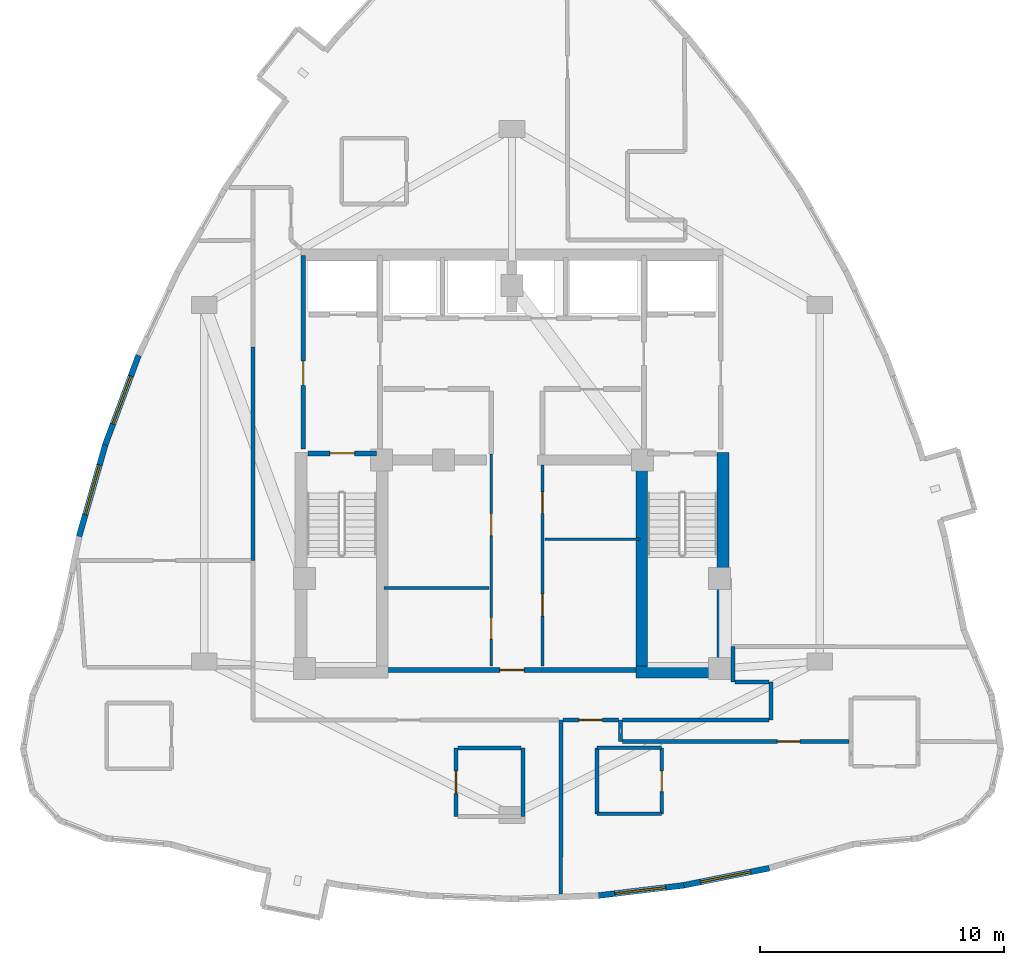
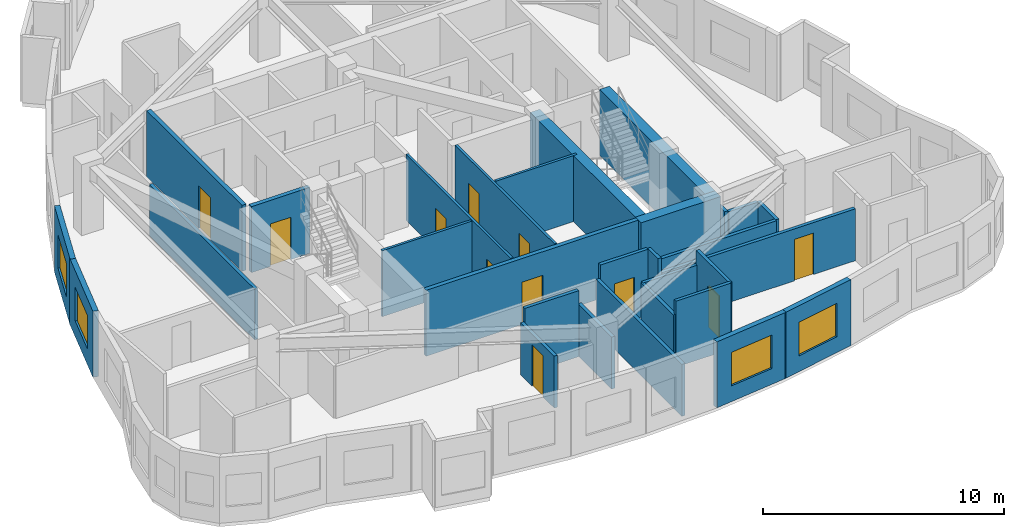
# One storey, part 8 of 12: 30 walls, 11 doors, 4 windows, 15 openings.
"""IFC4 building model written with IfcOpenShell, lengths in metres."""

from ifc_helpers import new_model, si_unit, direction, frame, frame_2d, origin, place, context, subcontext, project, spatial, rectangle, extrude, material, layer, layer_set, type_object, element, fill, save


model = new_model("IFC4")

# Units and contexts
model_context = context("Model", 3, precision=1e-05, world=origin(), true_north=direction((0.0, 1.0)))
body_context = subcontext(model_context, "Body", "Model", "MODEL_VIEW")
ifc_project = project(units=[si_unit("LENGTHUNIT", "METRE"), si_unit("AREAUNIT", "SQUARE_METRE"), si_unit("VOLUMEUNIT", "CUBIC_METRE"), si_unit("PLANEANGLEUNIT", "RADIAN"), si_unit("MASSUNIT", "GRAM", prefix="KILO")], contexts=[model_context])

# Site, building, storey
site_placement = place(None, origin())
site = spatial("IfcSite", under=ifc_project, at=site_placement, CompositionType="ELEMENT")
building_placement = place(site_placement, origin())
building = spatial("IfcBuilding", under=site, at=building_placement, Name="Miruveldt Soraemaru", CompositionType="ELEMENT")
storey_placement = place(building_placement, frame((0.0, 0.0, 216.0)))
storey = spatial("IfcBuildingStorey", under=building, at=storey_placement, Name="L59", CompositionType="ELEMENT", Elevation=216.0)

# Walls
ifc_material_1 = material(Name="Concrete C60/75 (60 MPa)", Category="concrete")
ifc_layer_1 = layer(ifc_material_1, 0.47998046875, Name="Concrete C60/75 (60 MPa)", Category="concrete")
ifc_layer_set_1 = layer_set([ifc_layer_1], Name="Concrete C60/75 (60 MPa)")
wall_type_1 = type_object("IfcWallType", Name="WALL-CW-480", PredefinedType="SHEAR", material=ifc_layer_set_1)
wall_1_placement = place(storey_placement, frame((49.070068359375, 35.360107421875, 0.0), z_axis=(0.0, 0.0, 1.0), x_axis=(1.0, 0.0, 0.0)))
element("IfcWall", 1, at=wall_1_placement, inside=storey, type_object=wall_type_1, Name="L59 Central Core Shear Wall S2", PredefinedType="SHEAR", context=body_context, shape_type="SweptSolid", body=[
    extrude(rectangle(XDim=3.809814453125, YDim=0.47998046875, at=frame_2d((1.90478515625, 0.0))), origin(), (0.0, 0.0, 1.0), 3.344970703125),
])
wall_2_placement = place(storey_placement, frame((52.639892578125, 35.1201171875, 0.0), z_axis=(0.0, 0.0, 1.0), x_axis=(0.0, 1.0, 0.0)))
element("IfcWall", 2, at=wall_2_placement, inside=storey, type_object=wall_type_1, Name="L59 Central Core Shear Wall E1", PredefinedType="SHEAR", context=body_context, shape_type="SweptSolid", body=[
    extrude(rectangle(XDim=9.22998046875, YDim=0.47998046875, at=frame_2d((4.614990234375, 0.0))), origin(), (0.0, 0.0, 1.0), 3.344970703125),
])
wall_3_placement = place(storey_placement, frame((49.31005859375, 35.39990234375, 0.0), z_axis=(0.0, 0.0, 1.0), x_axis=(0.0, 1.0, 0.0)))
element("IfcWall", 3, at=wall_3_placement, inside=storey, type_object=wall_type_1, Name="L59 Central Core Shear Wall SE-INT", PredefinedType="SHEAR", context=body_context, shape_type="SweptSolid", body=[
    extrude(rectangle(XDim=8.9501953125, YDim=0.47998046875, at=frame_2d((4.47509765625, 0.0))), origin(), (0.0, 0.0, 1.0), 3.344970703125),
])

# Wall, opening, window
ifc_material_2 = material(Name="Precast concrete C45/55 (45 MPa)", Category="concrete")
ifc_layer_2 = layer(ifc_material_2, 0.239990234375, Name="Precast concrete C45/55 (45 MPa)", Category="concrete")
ifc_layer_set_2 = layer_set([ifc_layer_2], Name="Precast concrete C45/55 (45 MPa)")
wall_type_2 = type_object("IfcWallType", Name="WALL-EXT-PC240", PredefinedType="SOLIDWALL", material=ifc_layer_set_2)
wall_4_placement = place(storey_placement, frame((28.706787109375, 48.335693359375, 0.0), z_axis=(0.0, 0.0, 1.0), x_axis=(-0.34901887995, -0.937115692665, 0.0)))
wall_4 = element("IfcWall", 4, at=wall_4_placement, inside=storey, type_object=wall_type_2, Name="L59 Precast Concrete Facade Wall 12", PredefinedType="SOLIDWALL", context=body_context, shape_type="SweptSolid", body=[
    extrude(rectangle(XDim=3.917236328125, YDim=0.239990234375, at=frame_2d((1.95849609375, 0.0))), origin(), (0.0, 0.0, 1.0), 3.344970703125),
])
opening_1_placement = place(wall_4_placement, frame((0.908935546875, 0.0, 0.800048828125)))
opening_1 = element("IfcOpeningElement", 5, at=opening_1_placement, cuts=wall_4, Name="Opening WN-1", PredefinedType="OPENING", context=body_context, shape_type="SweptSolid", body=[
    extrude(rectangle(XDim=2.10009765625, YDim=1.699951171875, at=frame_2d((1.050048828125, 0.85009765625))), frame((0.0, 0.1298828125, 0.0), z_axis=(0.0, -1.0, 0.0), x_axis=(1.0, 0.0, 0.0)), (0.0, 0.0, 1.0), 0.260009765625),
])
ifc_material_3 = material(Name="Triple low-e insulated glazing", Category="glass")
window_type = type_object("IfcWindowType", Name="WIN-PUNCH-2100x1700", PartitioningType="SINGLE_PANEL", PredefinedType="WINDOW", material=ifc_material_3)
window_1_placement = place(opening_1_placement, origin())
window_1 = element("IfcWindow", 6, at=window_1_placement, inside=storey, type_object=window_type, Name="L59 Punched Triple-Glazed Window 12.1", OverallHeight=1.699951171875, OverallWidth=2.10009765625, PartitioningType="SINGLE_PANEL", PredefinedType="WINDOW", context=body_context, shape_type="SweptSolid", body=[
    extrude(rectangle(XDim=2.10009765625, YDim=1.699951171875, at=frame_2d((1.050048828125, 0.85009765625))), frame((0.0, 0.030029296875, 0.0), z_axis=(0.0, -1.0, 0.0), x_axis=(1.0, 0.0, 0.0)), (0.0, 0.0, 1.0), 0.06005859375),
])
fill(opening_1, window_1)

wall_5_placement = place(storey_placement, frame((27.361328125, 44.7314453125, 0.0), z_axis=(0.0, 0.0, 1.0), x_axis=(-0.274948794125, -0.961458870992, 0.0)))
wall_5 = element("IfcWall", 7, at=wall_5_placement, inside=storey, type_object=wall_type_2, Name="L59 Precast Concrete Facade Wall 13", PredefinedType="SOLIDWALL", context=body_context, shape_type="SweptSolid", body=[
    extrude(rectangle(XDim=3.965576171875, YDim=0.239990234375, at=frame_2d((1.98291015625, 0.0))), origin(), (0.0, 0.0, 1.0), 3.344970703125),
])
opening_2_placement = place(wall_5_placement, frame((0.93310546875, 0.0, 0.800048828125)))
opening_2 = element("IfcOpeningElement", 8, at=opening_2_placement, cuts=wall_5, Name="Opening WN-1", PredefinedType="OPENING", context=body_context, shape_type="SweptSolid", body=[
    extrude(rectangle(XDim=2.10009765625, YDim=1.699951171875, at=frame_2d((1.050048828125, 0.85009765625))), frame((0.0, 0.1298828125, 0.0), z_axis=(0.0, -1.0, 0.0), x_axis=(1.0, 0.0, 0.0)), (0.0, 0.0, 1.0), 0.260009765625),
])
window_2_placement = place(opening_2_placement, origin())
window_2 = element("IfcWindow", 9, at=window_2_placement, inside=storey, type_object=window_type, Name="L59 Punched Triple-Glazed Window 13.1", OverallHeight=1.699951171875, OverallWidth=2.10009765625, PartitioningType="SINGLE_PANEL", PredefinedType="WINDOW", context=body_context, shape_type="SweptSolid", body=[
    extrude(rectangle(XDim=2.10009765625, YDim=1.699951171875, at=frame_2d((1.050048828125, 0.85009765625))), frame((0.0, 0.030029296875, 0.0), z_axis=(0.0, -1.0, 0.0), x_axis=(1.0, 0.0, 0.0)), (0.0, 0.0, 1.0), 0.06005859375),
])
fill(opening_2, window_2)

wall_6_placement = place(storey_placement, frame((47.465576171875, 26.19970703125, 0.0), z_axis=(0.0, 0.0, 1.0), x_axis=(0.992881978506, 0.119102379312, 0.0)))
wall_6 = element("IfcWall", 10, at=wall_6_placement, inside=storey, type_object=wall_type_2, Name="L59 Precast Concrete Facade Wall 26", PredefinedType="SOLIDWALL", context=body_context, shape_type="SweptSolid", body=[
    extrude(rectangle(XDim=3.595458984375, YDim=0.239990234375, at=frame_2d((1.7978515625, 0.0))), origin(), (0.0, 0.0, 1.0), 3.344970703125),
])
opening_3_placement = place(wall_6_placement, frame((0.748046875, 0.0, 0.800048828125)))
opening_3 = element("IfcOpeningElement", 11, at=opening_3_placement, cuts=wall_6, Name="Opening WN-1", PredefinedType="OPENING", context=body_context, shape_type="SweptSolid", body=[
    extrude(rectangle(XDim=2.10009765625, YDim=1.699951171875, at=frame_2d((1.050048828125, 0.85009765625))), frame((0.0, 0.1298828125, 0.0), z_axis=(0.0, -1.0, 0.0), x_axis=(1.0, 0.0, 0.0)), (0.0, 0.0, 1.0), 0.260009765625),
])
window_3_placement = place(opening_3_placement, origin())
window_3 = element("IfcWindow", 12, at=window_3_placement, inside=storey, type_object=window_type, Name="L59 Punched Triple-Glazed Window 26.1", OverallHeight=1.699951171875, OverallWidth=2.10009765625, PartitioningType="SINGLE_PANEL", PredefinedType="WINDOW", context=body_context, shape_type="SweptSolid", body=[
    extrude(rectangle(XDim=2.10009765625, YDim=1.699951171875, at=frame_2d((1.050048828125, 0.85009765625))), frame((0.0, 0.030029296875, 0.0), z_axis=(0.0, -1.0, 0.0), x_axis=(1.0, 0.0, 0.0)), (0.0, 0.0, 1.0), 0.06005859375),
])
fill(opening_3, window_3)

wall_7_placement = place(storey_placement, frame((50.96630859375, 26.616943359375, 0.0), z_axis=(0.0, 0.0, 1.0), x_axis=(0.980578095776, 0.196129034274, 0.0)))
wall_7 = element("IfcWall", 13, at=wall_7_placement, inside=storey, type_object=wall_type_2, Name="L59 Precast Concrete Facade Wall 27", PredefinedType="SOLIDWALL", context=body_context, shape_type="SweptSolid", body=[
    extrude(rectangle(XDim=3.639892578125, YDim=0.239990234375, at=frame_2d((1.81982421875, 0.0))), origin(), (0.0, 0.0, 1.0), 3.344970703125),
])
opening_4_placement = place(wall_7_placement, frame((0.77001953125, 0.0, 0.800048828125)))
opening_4 = element("IfcOpeningElement", 14, at=opening_4_placement, cuts=wall_7, Name="Opening WN-1", PredefinedType="OPENING", context=body_context, shape_type="SweptSolid", body=[
    extrude(rectangle(XDim=2.10009765625, YDim=1.699951171875, at=frame_2d((1.050048828125, 0.85009765625))), frame((0.0, 0.1298828125, 0.0), z_axis=(0.0, -1.0, 0.0), x_axis=(1.0, 0.0, 0.0)), (0.0, 0.0, 1.0), 0.260009765625),
])
window_4_placement = place(opening_4_placement, origin())
window_4 = element("IfcWindow", 15, at=window_4_placement, inside=storey, type_object=window_type, Name="L59 Punched Triple-Glazed Window 27.1", OverallHeight=1.699951171875, OverallWidth=2.10009765625, PartitioningType="SINGLE_PANEL", PredefinedType="WINDOW", context=body_context, shape_type="SweptSolid", body=[
    extrude(rectangle(XDim=2.10009765625, YDim=1.699951171875, at=frame_2d((1.050048828125, 0.85009765625))), frame((0.0, 0.030029296875, 0.0), z_axis=(0.0, -1.0, 0.0), x_axis=(1.0, 0.0, 0.0)), (0.0, 0.0, 1.0), 0.06005859375),
])
fill(opening_4, window_4)

# Wall, openings, doors
ifc_material_4 = material(Name="Gypsum plasterboard lining", Category="gypsum")
ifc_layer_3 = layer(ifc_material_4, 0.1201171875, Name="Gypsum plasterboard lining", Category="gypsum")
ifc_layer_set_3 = layer_set([ifc_layer_3], Name="Gypsum plasterboard lining")
wall_type_3 = type_object("IfcWallType", Name="WALL-INT-P120", PredefinedType="PARTITIONING", material=ifc_layer_set_3)
wall_8_placement = place(storey_placement, frame((43.14990234375, 35.60009765625, 0.0), z_axis=(0.0, 0.0, 1.0), x_axis=(0.0, 1.0, 0.0)))
wall_8 = element("IfcWall", 16, at=wall_8_placement, inside=storey, type_object=wall_type_3, Name="L59 Core Compartment Wall SP-WL", PredefinedType="PARTITIONING", context=body_context, shape_type="SweptSolid", body=[
    extrude(rectangle(XDim=8.699951171875, YDim=0.1201171875, at=frame_2d((4.35009765625, 0.0))), origin(), (0.0, 0.0, 1.0), 3.344970703125),
])
opening_5_placement = place(wall_8_placement, frame((1.110107421875, 0.0, 0.0)))
opening_5 = element("IfcOpeningElement", 17, at=opening_5_placement, cuts=wall_8, Name="Opening D4", PredefinedType="OPENING", context=body_context, shape_type="SweptSolid", body=[
    extrude(rectangle(XDim=0.8798828125, YDim=2.10009765625, at=frame_2d((0.43994140625, 1.050048828125))), frame((0.0, 0.070068359375, 0.0), z_axis=(0.0, -1.0, 0.0), x_axis=(1.0, 0.0, 0.0)), (0.0, 0.0, 1.0), 0.14013671875),
])
opening_6_placement = place(wall_8_placement, frame((5.35009765625, 0.0, 0.0)))
opening_6 = element("IfcOpeningElement", 18, at=opening_6_placement, cuts=wall_8, Name="Opening D3", PredefinedType="OPENING", context=body_context, shape_type="SweptSolid", body=[
    extrude(rectangle(XDim=0.89990234375, YDim=2.10009765625, at=frame_2d((0.449951171875, 1.050048828125))), frame((0.0, 0.070068359375, 0.0), z_axis=(0.0, -1.0, 0.0), x_axis=(1.0, 0.0, 0.0)), (0.0, 0.0, 1.0), 0.14013671875),
])
ifc_material_5 = material(Name="Anodised aluminium EN AW-6063 T6", Category="aluminium")
door_type_1 = type_object("IfcDoorType", Name="DOOR-INT-880", OperationType="NOTDEFINED", PredefinedType="DOOR", material=ifc_material_5)
door_1_placement = place(opening_5_placement, origin())
door_1 = element("IfcDoor", 19, at=door_1_placement, inside=storey, type_object=door_type_1, Name="L59 Fire Door", OperationType="SINGLE_SWING_LEFT", OverallHeight=2.10009765625, OverallWidth=0.8798828125, PredefinedType="DOOR", context=body_context, shape_type="SweptSolid", body=[
    extrude(rectangle(XDim=0.8798828125, YDim=2.10009765625, at=frame_2d((0.43994140625, 1.050048828125))), frame((0.0, 0.02490234375, 0.0), z_axis=(0.0, -1.0, 0.0), x_axis=(1.0, 0.0, 0.0)), (0.0, 0.0, 1.0), 0.050048828125),
])
fill(opening_5, door_1)
door_type_2 = type_object("IfcDoorType", Name="DOOR-INT-900", OperationType="NOTDEFINED", PredefinedType="DOOR", material=ifc_material_5)
door_2_placement = place(opening_6_placement, origin())
door_2 = element("IfcDoor", 20, at=door_2_placement, inside=storey, type_object=door_type_2, Name="L59 Fire Door", OperationType="SINGLE_SWING_LEFT", OverallHeight=2.10009765625, OverallWidth=0.89990234375, PredefinedType="DOOR", context=body_context, shape_type="SweptSolid", body=[
    extrude(rectangle(XDim=0.89990234375, YDim=2.10009765625, at=frame_2d((0.449951171875, 1.050048828125))), frame((0.0, 0.02490234375, 0.0), z_axis=(0.0, -1.0, 0.0), x_axis=(1.0, 0.0, 0.0)), (0.0, 0.0, 1.0), 0.050048828125),
])
fill(opening_6, door_2)

wall_9_placement = place(storey_placement, frame((45.25, 35.60009765625, 0.0), z_axis=(0.0, 0.0, 1.0), x_axis=(0.0, 1.0, 0.0)))
wall_9 = element("IfcWall", 21, at=wall_9_placement, inside=storey, type_object=wall_type_3, Name="L59 Core Compartment Wall SP-EL", PredefinedType="PARTITIONING", context=body_context, shape_type="SweptSolid", body=[
    extrude(rectangle(XDim=8.25, YDim=0.1201171875, at=frame_2d((4.125, 0.0))), origin(), (0.0, 0.0, 1.0), 3.344970703125),
])
opening_7_placement = place(wall_9_placement, frame((2.050048828125, 0.0, 0.0)))
opening_7 = element("IfcOpeningElement", 22, at=opening_7_placement, cuts=wall_9, Name="Opening D3", PredefinedType="OPENING", context=body_context, shape_type="SweptSolid", body=[
    extrude(rectangle(XDim=0.89990234375, YDim=2.10009765625, at=frame_2d((0.449951171875, 1.050048828125))), frame((0.0, 0.070068359375, 0.0), z_axis=(0.0, -1.0, 0.0), x_axis=(1.0, 0.0, 0.0)), (0.0, 0.0, 1.0), 0.14013671875),
])
opening_8_placement = place(wall_9_placement, frame((6.260009765625, 0.0, 0.0)))
opening_8 = element("IfcOpeningElement", 23, at=opening_8_placement, cuts=wall_9, Name="Opening D4", PredefinedType="OPENING", context=body_context, shape_type="SweptSolid", body=[
    extrude(rectangle(XDim=0.8798828125, YDim=2.10009765625, at=frame_2d((0.43994140625, 1.050048828125))), frame((0.0, 0.070068359375, 0.0), z_axis=(0.0, -1.0, 0.0), x_axis=(1.0, 0.0, 0.0)), (0.0, 0.0, 1.0), 0.14013671875),
])
door_3_placement = place(opening_8_placement, origin())
door_3 = element("IfcDoor", 24, at=door_3_placement, inside=storey, type_object=door_type_1, Name="L59 Fire Door", OperationType="SINGLE_SWING_LEFT", OverallHeight=2.10009765625, OverallWidth=0.8798828125, PredefinedType="DOOR", context=body_context, shape_type="SweptSolid", body=[
    extrude(rectangle(XDim=0.8798828125, YDim=2.10009765625, at=frame_2d((0.43994140625, 1.050048828125))), frame((0.0, 0.02490234375, 0.0), z_axis=(0.0, -1.0, 0.0), x_axis=(1.0, 0.0, 0.0)), (0.0, 0.0, 1.0), 0.050048828125),
])
fill(opening_8, door_3)
door_4_placement = place(opening_7_placement, origin())
door_4 = element("IfcDoor", 25, at=door_4_placement, inside=storey, type_object=door_type_2, Name="L59 Fire Door", OperationType="SINGLE_SWING_LEFT", OverallHeight=2.10009765625, OverallWidth=0.89990234375, PredefinedType="DOOR", context=body_context, shape_type="SweptSolid", body=[
    extrude(rectangle(XDim=0.89990234375, YDim=2.10009765625, at=frame_2d((0.449951171875, 1.050048828125))), frame((0.0, 0.02490234375, 0.0), z_axis=(0.0, -1.0, 0.0), x_axis=(1.0, 0.0, 0.0)), (0.0, 0.0, 1.0), 0.050048828125),
])
fill(opening_7, door_4)

# Walls
wall_10_placement = place(storey_placement, frame((38.75, 38.800048828125, 0.0), z_axis=(0.0, 0.0, 1.0), x_axis=(1.0, 0.0, 0.0)))
element("IfcWall", 26, at=wall_10_placement, inside=storey, type_object=wall_type_3, Name="L59 Core Compartment Wall RL-W2H", PredefinedType="PARTITIONING", context=body_context, shape_type="SweptSolid", body=[
    extrude(rectangle(XDim=4.300048828125, YDim=0.1201171875, at=frame_2d((2.14990234375, 0.0))), origin(), (0.0, 0.0, 1.0), 3.344970703125),
])
wall_11_placement = place(storey_placement, frame((45.35009765625, 40.800048828125, 0.0), z_axis=(0.0, 0.0, 1.0), x_axis=(1.0, 0.0, 0.0)))
element("IfcWall", 27, at=wall_11_placement, inside=storey, type_object=wall_type_3, Name="L59 Core Compartment Wall RL-E2H", PredefinedType="PARTITIONING", context=body_context, shape_type="SweptSolid", body=[
    extrude(rectangle(XDim=3.89990234375, YDim=0.1201171875, at=frame_2d((1.949951171875, 0.0))), origin(), (0.0, 0.0, 1.0), 3.344970703125),
])

# Wall, opening, door
ifc_layer_4 = layer(ifc_material_4, 0.14990234375, Name="Gypsum plasterboard lining", Category="gypsum")
ifc_layer_set_4 = layer_set([ifc_layer_4], Name="Gypsum plasterboard lining")
wall_type_4 = type_object("IfcWallType", Name="WALL-INT-PLUMB", PredefinedType="PLUMBINGWALL", material=ifc_layer_set_4)
wall_12_placement = place(storey_placement, frame((50.1298828125, 29.555908203125, 0.0), z_axis=(0.0, 0.0, 1.0), x_axis=(0.0, 1.0, 0.0)))
wall_12 = element("IfcWall", 28, at=wall_12_placement, inside=storey, type_object=wall_type_4, Name="L59 Partition Wall 31", PredefinedType="PLUMBINGWALL", context=body_context, shape_type="SweptSolid", body=[
    extrude(rectangle(XDim=2.7001953125, YDim=0.14990234375, at=frame_2d((1.35009765625, 0.0))), origin(), (0.0, 0.0, 1.0), 3.344970703125),
])
opening_9_placement = place(wall_12_placement, frame((0.909912109375, 0.0, 0.0)))
opening_9 = element("IfcOpeningElement", 29, at=opening_9_placement, cuts=wall_12, Name="Opening FD3", PredefinedType="OPENING", context=body_context, shape_type="SweptSolid", body=[
    extrude(rectangle(XDim=0.85009765625, YDim=2.10009765625, at=frame_2d((0.425048828125, 1.050048828125))), frame((0.0, 0.0849609375, 0.0), z_axis=(0.0, -1.0, 0.0), x_axis=(1.0, 0.0, 0.0)), (0.0, 0.0, 1.0), 0.169921875),
])
door_type_3 = type_object("IfcDoorType", Name="DOOR-FD3-850", OperationType="NOTDEFINED", PredefinedType="DOOR", material=ifc_material_5)
door_5_placement = place(opening_9_placement, origin())
door_5 = element("IfcDoor", 30, at=door_5_placement, inside=storey, type_object=door_type_3, Name="L59 Unit 5903 BTH Door", OperationType="SINGLE_SWING_RIGHT", OverallHeight=2.10009765625, OverallWidth=0.85009765625, PredefinedType="DOOR", context=body_context, shape_type="SweptSolid", body=[
    extrude(rectangle(XDim=0.85009765625, YDim=2.10009765625, at=frame_2d((0.425048828125, 1.050048828125))), frame((0.0, 0.02490234375, 0.0), z_axis=(0.0, -1.0, 0.0), x_axis=(1.0, 0.0, 0.0)), (0.0, 0.0, 1.0), 0.050048828125),
])
fill(opening_9, door_5)

# Walls
wall_13_placement = place(storey_placement, frame((47.47998046875, 32.256103515625, 0.0), z_axis=(0.0, 0.0, 1.0), x_axis=(0.0, -1.0, 0.0)))
element("IfcWall", 31, at=wall_13_placement, inside=storey, type_object=wall_type_4, Name="L59 Partition Wall 33", PredefinedType="PLUMBINGWALL", context=body_context, shape_type="SweptSolid", body=[
    extrude(rectangle(XDim=2.7001953125, YDim=0.14990234375, at=frame_2d((1.35009765625, 0.0))), origin(), (0.0, 0.0, 1.0), 2.633056640625),
])
wall_14_placement = place(storey_placement, frame((50.1298828125, 32.256103515625, 0.0), z_axis=(0.0, 0.0, 1.0), x_axis=(-1.0, 0.0, 0.0)))
element("IfcWall", 32, at=wall_14_placement, inside=storey, type_object=wall_type_4, Name="L59 Partition Wall 32", PredefinedType="PLUMBINGWALL", context=body_context, shape_type="SweptSolid", body=[
    extrude(rectangle(XDim=2.64990234375, YDim=0.14990234375, at=frame_2d((1.324951171875, 0.0))), origin(), (0.0, 0.0, 1.0), 2.633056640625),
])
wall_15_placement = place(storey_placement, frame((47.47998046875, 29.555908203125, 0.0), z_axis=(0.0, 0.0, 1.0), x_axis=(1.0, 0.0, 0.0)))
element("IfcWall", 33, at=wall_15_placement, inside=storey, type_object=wall_type_4, Name="L59 Partition Wall 34", PredefinedType="PLUMBINGWALL", context=body_context, shape_type="SweptSolid", body=[
    extrude(rectangle(XDim=2.64990234375, YDim=0.14990234375, at=frame_2d((1.324951171875, 0.0))), origin(), (0.0, 0.0, 1.0), 3.344970703125),
])

# Wall, opening, door
ifc_material_6 = material(Name="Concrete C40/50 (40 MPa)", Category="concrete")
ifc_layer_5 = layer(ifc_material_6, 0.159912109375, Name="Concrete C40/50 (40 MPa)", Category="concrete")
ifc_layer_set_5 = layer_set([ifc_layer_5], Name="Concrete C40/50 (40 MPa)")
wall_type_5 = type_object("IfcWallType", Name="WALL-INT-RC160", PredefinedType="SOLIDWALL", material=ifc_layer_set_5)
wall_16_placement = place(storey_placement, frame((57.800048828125, 32.51611328125, 0.0), z_axis=(0.0, 0.0, 1.0), x_axis=(-1.0, 0.0, 0.0)))
wall_16 = element("IfcWall", 34, at=wall_16_placement, inside=storey, type_object=wall_type_5, Name="L59 Partition Wall 39", PredefinedType="SOLIDWALL", context=body_context, shape_type="SweptSolid", body=[
    extrude(rectangle(XDim=9.27001953125, YDim=0.159912109375, at=frame_2d((4.635009765625, 0.0))), origin(), (0.0, 0.0, 1.0), 2.633056640625),
])
opening_10_placement = place(wall_16_placement, frame((2.014892578125, 0.0, 0.0)))
opening_10 = element("IfcOpeningElement", 35, at=opening_10_placement, cuts=wall_16, Name="Opening D3A", PredefinedType="OPENING", context=body_context, shape_type="SweptSolid", body=[
    extrude(rectangle(XDim=0.919921875, YDim=2.10009765625, at=frame_2d((0.4599609375, 1.050048828125))), frame((0.0, 0.08984375, 0.0), z_axis=(0.0, -1.0, 0.0), x_axis=(1.0, 0.0, 0.0)), (0.0, 0.0, 1.0), 0.179931640625),
])
door_type_4 = type_object("IfcDoorType", Name="DOOR-INT-920", OperationType="NOTDEFINED", PredefinedType="DOOR", material=ifc_material_5)
door_6_placement = place(opening_10_placement, origin())
door_6 = element("IfcDoor", 36, at=door_6_placement, inside=storey, type_object=door_type_4, Name="L59 Unit 5903 BD1 Door", OperationType="SINGLE_SWING_RIGHT", OverallHeight=2.10009765625, OverallWidth=0.919921875, PredefinedType="DOOR", context=body_context, shape_type="SweptSolid", body=[
    extrude(rectangle(XDim=0.919921875, YDim=2.10009765625, at=frame_2d((0.4599609375, 1.050048828125))), frame((0.0, 0.02490234375, 0.0), z_axis=(0.0, -1.0, 0.0), x_axis=(1.0, 0.0, 0.0)), (0.0, 0.0, 1.0), 0.050048828125),
])
fill(opening_10, door_6)

wall_17_placement = place(storey_placement, frame((41.705078125, 32.24609375, 0.0), z_axis=(0.0, 0.0, 1.0), x_axis=(0.0, -1.0, 0.0)))
wall_17 = element("IfcWall", 37, at=wall_17_placement, inside=storey, type_object=wall_type_5, Name="L59 Partition Wall 25", PredefinedType="SOLIDWALL", context=body_context, shape_type="SweptSolid", body=[
    extrude(rectangle(XDim=2.800048828125, YDim=0.159912109375, at=frame_2d((1.39990234375, 0.0))), origin(), (0.0, 0.0, 1.0), 2.633056640625),
])
opening_11_placement = place(wall_17_placement, frame((0.93994140625, 0.0, 0.0)))
opening_11 = element("IfcOpeningElement", 38, at=opening_11_placement, cuts=wall_17, Name="Opening D3A", PredefinedType="OPENING", context=body_context, shape_type="SweptSolid", body=[
    extrude(rectangle(XDim=0.919921875, YDim=2.10009765625, at=frame_2d((0.4599609375, 1.050048828125))), frame((0.0, 0.08984375, 0.0), z_axis=(0.0, -1.0, 0.0), x_axis=(1.0, 0.0, 0.0)), (0.0, 0.0, 1.0), 0.179931640625),
])
door_7_placement = place(opening_11_placement, origin())
door_7 = element("IfcDoor", 39, at=door_7_placement, inside=storey, type_object=door_type_4, Name="L59 Unit 5902 KIT Door", OperationType="SINGLE_SWING_LEFT", OverallHeight=2.10009765625, OverallWidth=0.919921875, PredefinedType="DOOR", context=body_context, shape_type="SweptSolid", body=[
    extrude(rectangle(XDim=0.919921875, YDim=2.10009765625, at=frame_2d((0.4599609375, 1.050048828125))), frame((0.0, 0.02490234375, 0.0), z_axis=(0.0, -1.0, 0.0), x_axis=(1.0, 0.0, 0.0)), (0.0, 0.0, 1.0), 0.050048828125),
])
fill(opening_11, door_7)

wall_18_placement = place(storey_placement, frame((46.083984375, 33.39990234375, 0.0), z_axis=(0.0, 0.0, 1.0), x_axis=(1.0, 0.0, 0.0)))
wall_18 = element("IfcWall", 40, at=wall_18_placement, inside=storey, type_object=wall_type_5, Name="L59 Partition Wall 9", PredefinedType="SOLIDWALL", context=body_context, shape_type="SweptSolid", body=[
    extrude(rectangle(XDim=2.281982421875, YDim=0.159912109375, at=frame_2d((1.14111328125, 0.0))), origin(), (0.0, 0.0, 1.0), 3.344970703125),
])
opening_12_placement = place(wall_18_placement, frame((0.666015625, 0.0, 0.0)))
opening_12 = element("IfcOpeningElement", 41, at=opening_12_placement, cuts=wall_18, Name="Opening FD2", PredefinedType="OPENING", context=body_context, shape_type="SweptSolid", body=[
    extrude(rectangle(XDim=0.949951171875, YDim=2.14990234375, at=frame_2d((0.47509765625, 1.074951171875))), frame((0.0, 0.08984375, 0.0), z_axis=(0.0, -1.0, 0.0), x_axis=(1.0, 0.0, 0.0)), (0.0, 0.0, 1.0), 0.179931640625),
])
door_type_5 = type_object("IfcDoorType", Name="DOOR-FD2-950", OperationType="NOTDEFINED", PredefinedType="DOOR", material=ifc_material_5)
door_8_placement = place(opening_12_placement, origin())
door_8 = element("IfcDoor", 42, at=door_8_placement, inside=storey, type_object=door_type_5, Name="L59 Unit 5903 Entrance Fire Door", OperationType="SINGLE_SWING_LEFT", OverallHeight=2.14990234375, OverallWidth=0.949951171875, PredefinedType="DOOR", context=body_context, shape_type="SweptSolid", body=[
    extrude(rectangle(XDim=0.949951171875, YDim=2.14990234375, at=frame_2d((0.47509765625, 1.074951171875))), frame((0.0, 0.02490234375, 0.0), z_axis=(0.0, -1.0, 0.0), x_axis=(1.0, 0.0, 0.0)), (0.0, 0.0, 1.0), 0.050048828125),
])
fill(opening_12, door_8)

# Walls
wall_19_placement = place(storey_placement, frame((33.39990234375, 48.673095703125, 0.0), z_axis=(0.0, 0.0, 1.0), x_axis=(0.0, -1.0, 0.0)))
element("IfcWall", 43, at=wall_19_placement, inside=storey, type_object=wall_type_5, Name="L59 Partition Wall 5", PredefinedType="SOLIDWALL", context=body_context, shape_type="SweptSolid", body=[
    extrude(rectangle(XDim=8.735107421875, YDim=0.159912109375, at=frame_2d((4.36767578125, 0.0))), origin(), (0.0, 0.0, 1.0), 2.5830078125),
])
wall_20_placement = place(storey_placement, frame((45.998046875, 26.279052734375, 0.0), z_axis=(0.0, 0.0, 1.0), x_axis=(0.000274433114, 0.999999962343, 0.0)))
element("IfcWall", 44, at=wall_20_placement, inside=storey, type_object=wall_type_5, Name="L59 Partition Wall 30", PredefinedType="SOLIDWALL", context=body_context, shape_type="SweptSolid", body=[
    extrude(rectangle(XDim=7.116943359375, YDim=0.159912109375, at=frame_2d((3.55859375, 0.0))), origin(), (0.0, 0.0, 1.0), 2.633056640625),
])
wall_21_placement = place(storey_placement, frame((48.530029296875, 33.39990234375, 0.0), z_axis=(0.0, 0.0, 1.0), x_axis=(1.0, 0.0, 0.0)))
element("IfcWall", 45, at=wall_21_placement, inside=storey, type_object=wall_type_5, Name="L59 Partition Wall 10", PredefinedType="SOLIDWALL", context=body_context, shape_type="SweptSolid", body=[
    extrude(rectangle(XDim=5.989990234375, YDim=0.159912109375, at=frame_2d((2.9951171875, 0.0))), origin(), (0.0, 0.0, 1.0), 2.633056640625),
])
wall_22_placement = place(storey_placement, frame((44.455078125, 29.446044921875, 0.0), z_axis=(0.0, 0.0, 1.0), x_axis=(0.0, 1.0, 0.0)))
element("IfcWall", 46, at=wall_22_placement, inside=storey, type_object=wall_type_5, Name="L59 Partition Wall 23", PredefinedType="SOLIDWALL", context=body_context, shape_type="SweptSolid", body=[
    extrude(rectangle(XDim=2.800048828125, YDim=0.159912109375, at=frame_2d((1.39990234375, 0.0))), origin(), (0.0, 0.0, 1.0), 2.633056640625),
])
wall_23_placement = place(storey_placement, frame((44.375, 32.24609375, 0.0), z_axis=(0.0, 0.0, 1.0), x_axis=(-1.0, 0.0, 0.0)))
element("IfcWall", 47, at=wall_23_placement, inside=storey, type_object=wall_type_5, Name="L59 Partition Wall 24", PredefinedType="SOLIDWALL", context=body_context, shape_type="SweptSolid", body=[
    extrude(rectangle(XDim=2.590087890625, YDim=0.159912109375, at=frame_2d((1.294921875, 0.0))), origin(), (0.0, 0.0, 1.0), 3.344970703125),
])
wall_24_placement = place(storey_placement, frame((54.60009765625, 33.39990234375, 0.0), z_axis=(0.0, 0.0, 1.0), x_axis=(0.0, 1.0, 0.0)))
element("IfcWall", 48, at=wall_24_placement, inside=storey, type_object=wall_type_5, Name="L59 Partition Wall 11", PredefinedType="SOLIDWALL", context=body_context, shape_type="SweptSolid", body=[
    extrude(rectangle(XDim=1.550048828125, YDim=0.159912109375, at=frame_2d((0.77490234375, 0.0))), origin(), (0.0, 0.0, 1.0), 2.633056640625),
])
wall_25_placement = place(storey_placement, frame((53.050048828125, 34.949951171875, 0.0), z_axis=(0.0, 0.0, 1.0), x_axis=(0.0, 1.0, 0.0)))
element("IfcWall", 49, at=wall_25_placement, inside=storey, type_object=wall_type_5, Name="L59 Partition Wall 51", PredefinedType="SOLIDWALL", context=body_context, shape_type="SweptSolid", body=[
    extrude(rectangle(XDim=1.4599609375, YDim=0.159912109375, at=frame_2d((0.72998046875, 0.0))), origin(), (0.0, 0.0, 1.0), 2.633056640625),
])
wall_26_placement = place(storey_placement, frame((54.52001953125, 34.949951171875, 0.0), z_axis=(0.0, 0.0, 1.0), x_axis=(-1.0, 0.0, 0.0)))
element("IfcWall", 50, at=wall_26_placement, inside=storey, type_object=wall_type_5, Name="L59 Partition Wall 12", PredefinedType="SOLIDWALL", context=body_context, shape_type="SweptSolid", body=[
    extrude(rectangle(XDim=1.39013671875, YDim=0.159912109375, at=frame_2d((0.695068359375, 0.0))), origin(), (0.0, 0.0, 1.0), 2.633056640625),
])
wall_27_placement = place(storey_placement, frame((48.449951171875, 32.51611328125, 0.0), z_axis=(0.0, 0.0, 1.0), x_axis=(0.0, 1.0, 0.0)))
element("IfcWall", 51, at=wall_27_placement, inside=storey, type_object=wall_type_5, Name="L59 Partition Wall 40", PredefinedType="SOLIDWALL", context=body_context, shape_type="SweptSolid", body=[
    extrude(rectangle(XDim=0.8837890625, YDim=0.159912109375, at=frame_2d((0.44189453125, 0.0))), origin(), (0.0, 0.0, 1.0), 3.344970703125),
])

# Wall, opening, door
ifc_layer_6 = layer(ifc_material_6, 0.199951171875, Name="Concrete C40/50 (40 MPa)", Category="concrete")
ifc_layer_set_6 = layer_set([ifc_layer_6], Name="Concrete C40/50 (40 MPa)")
wall_type_6 = type_object("IfcWallType", Name="WALL-INT-RC200", PredefinedType="SOLIDWALL", material=ifc_layer_set_6)
wall_28_placement = place(storey_placement, frame((38.89990234375, 35.449951171875, 0.0), z_axis=(0.0, 0.0, 1.0), x_axis=(1.0, 0.0, 0.0)))
wall_28 = element("IfcWall", 52, at=wall_28_placement, inside=storey, type_object=wall_type_6, Name="L59 Core Compartment Wall CS-S", PredefinedType="SOLIDWALL", context=body_context, shape_type="SweptSolid", body=[
    extrude(rectangle(XDim=10.2001953125, YDim=0.199951171875, at=frame_2d((5.10009765625, 0.0))), origin(), (0.0, 0.0, 1.0), 3.344970703125),
])
opening_13_placement = place(wall_28_placement, frame((4.60009765625, 0.0, 0.0)))
opening_13 = element("IfcOpeningElement", 53, at=opening_13_placement, cuts=wall_28, Name="Opening FD1", PredefinedType="OPENING", context=body_context, shape_type="SweptSolid", body=[
    extrude(rectangle(XDim=1.0, YDim=2.14990234375, at=frame_2d((0.5, 1.074951171875))), frame((0.0, 0.10986328125, 0.0), z_axis=(0.0, -1.0, 0.0), x_axis=(1.0, 0.0, 0.0)), (0.0, 0.0, 1.0), 0.219970703125),
])
door_type_6 = type_object("IfcDoorType", Name="DOOR-FD1-1000", OperationType="NOTDEFINED", PredefinedType="DOOR", material=ifc_material_5)
door_9_placement = place(opening_13_placement, origin())
door_9 = element("IfcDoor", 54, at=door_9_placement, inside=storey, type_object=door_type_6, Name="L59 Core South Lobby Fire Door", OperationType="SINGLE_SWING_LEFT", OverallHeight=2.14990234375, OverallWidth=1.0, PredefinedType="DOOR", context=body_context, shape_type="SweptSolid", body=[
    extrude(rectangle(XDim=1.0, YDim=2.14990234375, at=frame_2d((0.5, 1.074951171875))), frame((0.0, 0.02490234375, 0.0), z_axis=(0.0, -1.0, 0.0), x_axis=(1.0, 0.0, 0.0)), (0.0, 0.0, 1.0), 0.050048828125),
])
fill(opening_13, door_9)

wall_29_placement = place(storey_placement, frame((35.449951171875, 44.5, 0.0), z_axis=(0.0, 0.0, 1.0), x_axis=(0.0, 1.0, 0.0)))
wall_29 = element("IfcWall", 55, at=wall_29_placement, inside=storey, type_object=wall_type_6, Name="L59 Core Compartment Wall FFW-OUT", PredefinedType="SOLIDWALL", context=body_context, shape_type="SweptSolid", body=[
    extrude(rectangle(XDim=7.919921875, YDim=0.199951171875, at=frame_2d((3.9599609375, 0.0))), origin(), (0.0, 0.0, 1.0), 3.344970703125),
])
opening_14_placement = place(wall_29_placement, frame((2.60009765625, 0.0, 0.0)))
opening_14 = element("IfcOpeningElement", 56, at=opening_14_placement, cuts=wall_29, Name="Opening FD1", PredefinedType="OPENING", context=body_context, shape_type="SweptSolid", body=[
    extrude(rectangle(XDim=1.0, YDim=2.14990234375, at=frame_2d((0.5, 1.074951171875))), frame((0.0, 0.10986328125, 0.0), z_axis=(0.0, -1.0, 0.0), x_axis=(1.0, 0.0, 0.0)), (0.0, 0.0, 1.0), 0.219970703125),
])
door_10_placement = place(opening_14_placement, origin())
door_10 = element("IfcDoor", 57, at=door_10_placement, inside=storey, type_object=door_type_6, Name="L59 West Firefighting Lobby Exit Door", OperationType="SINGLE_SWING_LEFT", OverallHeight=2.14990234375, OverallWidth=1.0, PredefinedType="DOOR", context=body_context, shape_type="SweptSolid", body=[
    extrude(rectangle(XDim=1.0, YDim=2.14990234375, at=frame_2d((0.5, 1.074951171875))), frame((0.0, 0.02490234375, 0.0), z_axis=(0.0, -1.0, 0.0), x_axis=(1.0, 0.0, 0.0)), (0.0, 0.0, 1.0), 0.050048828125),
])
fill(opening_14, door_10)

wall_30_placement = place(storey_placement, frame((35.64990234375, 44.320068359375, 0.0), z_axis=(0.0, 0.0, 1.0), x_axis=(1.0, 0.0, 0.0)))
wall_30 = element("IfcWall", 58, at=wall_30_placement, inside=storey, type_object=wall_type_6, Name="L59 Core Compartment Wall ST1-N", PredefinedType="SOLIDWALL", context=body_context, shape_type="SweptSolid", body=[
    extrude(rectangle(XDim=2.800048828125, YDim=0.199951171875, at=frame_2d((1.39990234375, 0.0))), origin(), (0.0, 0.0, 1.0), 3.344970703125),
])
opening_15_placement = place(wall_30_placement, frame((0.89990234375, 0.0, 0.0)))
opening_15 = element("IfcOpeningElement", 59, at=opening_15_placement, cuts=wall_30, Name="Opening FD1", PredefinedType="OPENING", context=body_context, shape_type="SweptSolid", body=[
    extrude(rectangle(XDim=1.0, YDim=2.14990234375, at=frame_2d((0.5, 1.074951171875))), frame((0.0, 0.10986328125, 0.0), z_axis=(0.0, -1.0, 0.0), x_axis=(1.0, 0.0, 0.0)), (0.0, 0.0, 1.0), 0.219970703125),
])
door_11_placement = place(opening_15_placement, frame((1.0, 0.0, 0.0), z_axis=(0.0, 0.0, 1.0), x_axis=(-1.0, 0.0, 0.0)))
door_11 = element("IfcDoor", 60, at=door_11_placement, inside=storey, type_object=door_type_6, Name="L59 Stair ST-1 Fire Door", OperationType="SINGLE_SWING_LEFT", OverallHeight=2.14990234375, OverallWidth=1.0, PredefinedType="DOOR", context=body_context, shape_type="SweptSolid", body=[
    extrude(rectangle(XDim=1.0, YDim=2.14990234375, at=frame_2d((0.5, 1.074951171875))), frame((0.0, 0.02490234375, 0.0), z_axis=(0.0, -1.0, 0.0), x_axis=(1.0, 0.0, 0.0)), (0.0, 0.0, 1.0), 0.050048828125),
])
fill(opening_15, door_11)

save(model, "model.ifc")
